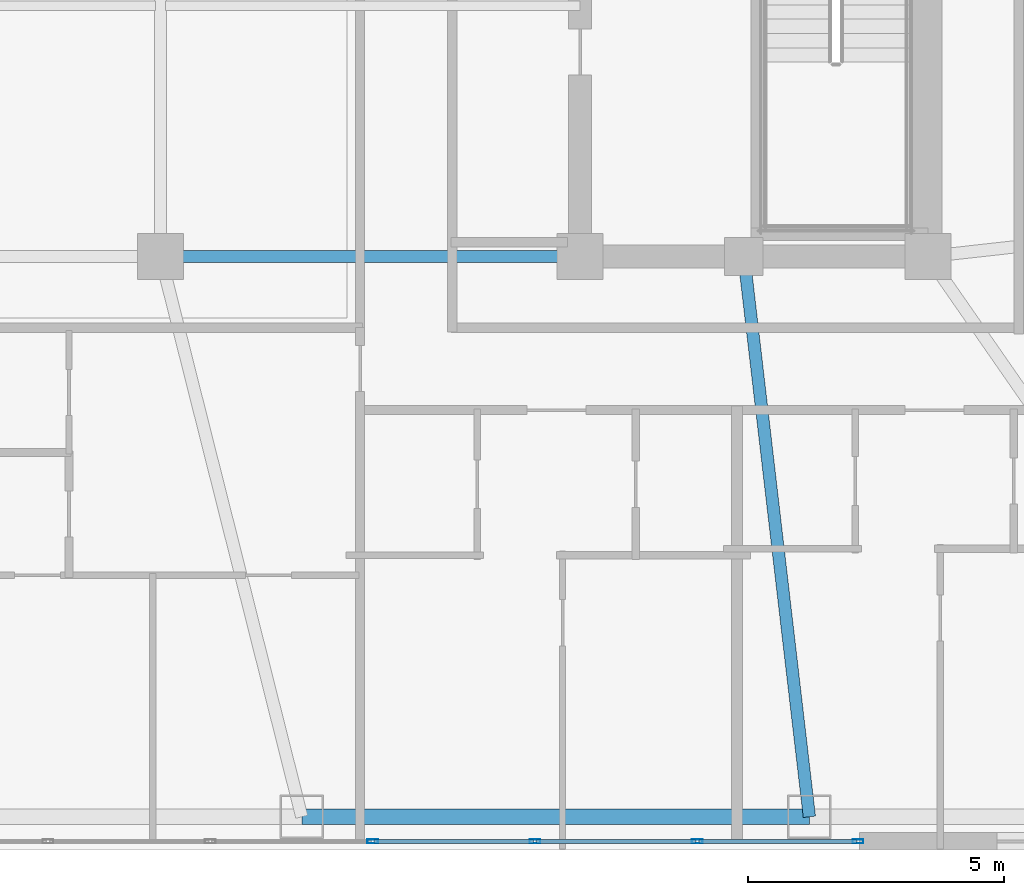
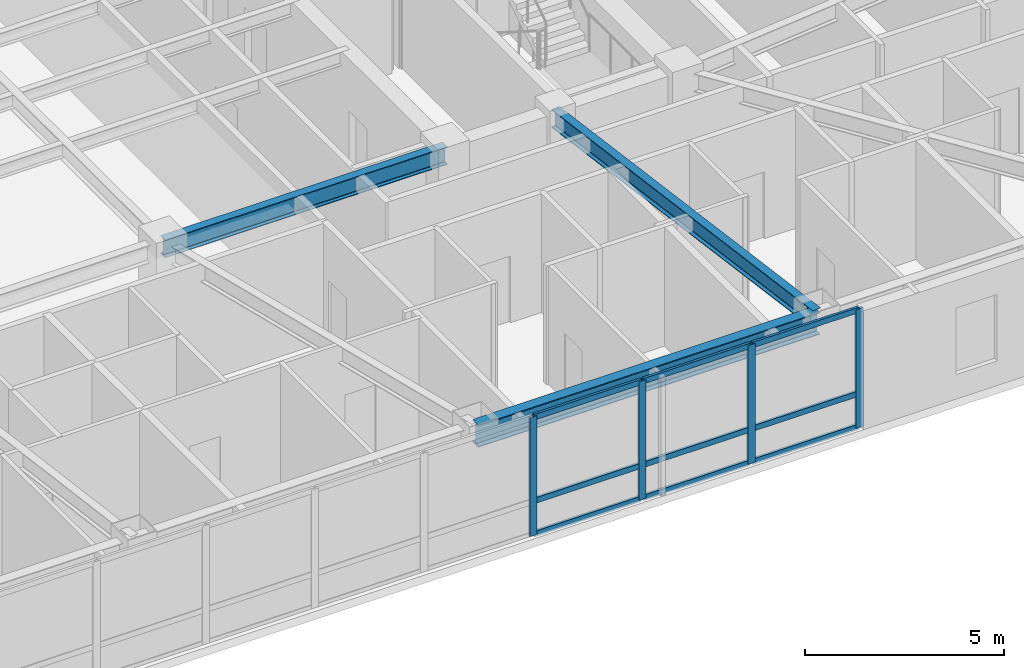
# One storey, part 6 of 16: 13 members, 3 beams, 1 element without a shape of its own.
"""IFC4 building model written with IfcOpenShell, lengths in metres."""

from ifc_helpers import new_model, si_unit, direction, frame, origin, origin_2d, place, context, subcontext, project, spatial, hollow_rectangle, i_section, extrude, material, layer, layer_set, material_profile, profile_set, type_object, element, aggregate, save


model = new_model("IFC4")

# Units and contexts
model_context = context("Model", 3, precision=1e-05, world=origin(), true_north=direction((0.0, 1.0)))
body_context = subcontext(model_context, "Body", "Model", "MODEL_VIEW")
ifc_project = project(units=[si_unit("LENGTHUNIT", "METRE"), si_unit("AREAUNIT", "SQUARE_METRE"), si_unit("VOLUMEUNIT", "CUBIC_METRE"), si_unit("PLANEANGLEUNIT", "RADIAN"), si_unit("MASSUNIT", "GRAM", prefix="KILO")], contexts=[model_context])

# Site, building, storey
site_placement = place(None, origin())
site = spatial("IfcSite", under=ifc_project, at=site_placement, CompositionType="ELEMENT")
building_placement = place(site_placement, origin())
building = spatial("IfcBuilding", under=site, at=building_placement, Name="Voryun Gate Residences", CompositionType="ELEMENT")
storey_placement = place(building_placement, frame((0.0, 0.0, 208.0)))
storey = spatial("IfcBuildingStorey", under=building, at=storey_placement, Name="L51", CompositionType="ELEMENT", Elevation=208.0)

# Beams
ifc_material_1 = material(Name="Steel SM355", Category="steel")
ifc_material_profile_1 = material_profile(ifc_material_1, i_section(OverallWidth=0.300048828125, OverallDepth=0.679931640625, WebThickness=0.013916015625, FlangeThickness=0.02490234375, FilletRadius=0.01806640625, at=origin_2d()), Name="H-680x300x14x25")
ifc_profile_set_1 = profile_set([ifc_material_profile_1], Name="Steel SM355")
beam_type_1 = type_object("IfcBeamType", Name="BM_EXO_SPANDREL_M", PredefinedType="SPANDREL", material=ifc_profile_set_1)
beam_1_placement = place(storey_placement, frame((6.9599609375, -18.35009765625, 3.31005859375), z_axis=(1.0, 0.0, 0.0), x_axis=(0.0, 1.0, 0.0)))
element("IfcBeam", 1, at=beam_1_placement, inside=storey, type_object=beam_type_1, Name="BM-L51-SPAND-04", PredefinedType="SPANDREL", context=body_context, shape_type="SweptSolid", body=[
    extrude(i_section(OverallWidth=0.300048828125, OverallDepth=0.679931640625, WebThickness=0.013916015625, FlangeThickness=0.02490234375, FilletRadius=0.01806640625, at=origin_2d()), origin(), (0.0, 0.0, 1.0), 9.919921875),
])
ifc_material_2 = material(Name="Steel SM355", Category="steel")
ifc_material_profile_2 = material_profile(ifc_material_2, i_section(OverallWidth=0.239990234375, OverallDepth=0.550048828125, WebThickness=0.011962890625, FlangeThickness=0.02001953125, FilletRadius=0.01806640625, at=origin_2d()), Name="H-550x240x12x20")
ifc_profile_set_2 = profile_set([ifc_material_profile_2], Name="Steel SM355")
beam_type_2 = type_object("IfcBeamType", Name="BM_GIRD_550", PredefinedType="USERDEFINED", material=ifc_profile_set_2)
beam_2_placement = place(storey_placement, frame((4.199951171875, -7.39990234375, 3.375), z_axis=(1.0, 0.0, 0.0), x_axis=(0.0, 1.0, 0.0)))
element("IfcBeam", 2, at=beam_2_placement, inside=storey, type_object=beam_type_2, Name="BM-L51-SPG3-S", ObjectType="GIRDER", PredefinedType="USERDEFINED", context=body_context, shape_type="SweptSolid", body=[
    extrude(i_section(OverallWidth=0.239990234375, OverallDepth=0.550048828125, WebThickness=0.011962890625, FlangeThickness=0.02001953125, FilletRadius=0.01806640625, at=origin_2d()), origin(), (0.0, 0.0, 1.0), 8.199951171875),
])
beam_3_placement = place(storey_placement, frame((15.60009765625, -7.39990234375, 3.375), z_axis=(0.116083150214, -0.993239498931, 0.0), x_axis=(0.993239498931, 0.116083150214, 0.0)))
element("IfcBeam", 3, at=beam_3_placement, inside=storey, type_object=beam_type_2, Name="BM-L51-RAD-S5", ObjectType="GIRDER", PredefinedType="USERDEFINED", context=body_context, shape_type="SweptSolid", body=[
    extrude(i_section(OverallWidth=0.239990234375, OverallDepth=0.550048828125, WebThickness=0.011962890625, FlangeThickness=0.02001953125, FilletRadius=0.01806640625, at=origin_2d()), origin(), (0.0, 0.0, 1.0), 11.024658203125),
])

# Curtain wall, members
ifc_material_3 = material(Name="Anodised aluminium", Category="aluminium")
ifc_layer = layer(ifc_material_3, 0.2099609375, Name="CW_SYS_SKYGARDEN_DARK_GLASS")
ifc_layer_set = layer_set([ifc_layer], Name="Anodised aluminium")
curtain_wall_type = type_object("IfcCurtainWallType", Name="CW_SYS_SKYGARDEN_DARK_GLASS", PredefinedType="NOTDEFINED", material=ifc_layer_set)
curtain_wall_placement = place(storey_placement, origin())
curtain_wall = element("IfcCurtainWall", 4, at=curtain_wall_placement, inside=storey, type_object=curtain_wall_type, Name="Curtain wall CW5-L51-SG-01", PredefinedType="NOTDEFINED")
ifc_material_4 = material(Name="Anodised aluminium", Category="aluminium")
ifc_material_profile_3 = material_profile(ifc_material_4, hollow_rectangle(XDim=0.074951171875, YDim=0.2099609375, WallThickness=0.0048828125, at=origin_2d()), Name="ALU-MULL-210x75x5")
ifc_profile_set_3 = profile_set([ifc_material_profile_3], Name="Anodised aluminium")
member_type_1 = type_object("IfcMemberType", Name="CW_MULL_SKY", PredefinedType="MULLION", material=ifc_profile_set_3)
member_1_placement = place(storey_placement, frame((17.831298828125, -18.830078125, 0.0), z_axis=(0.0, 0.0, 1.0), x_axis=(0.0, -1.0, 0.0)))
member_1 = element("IfcMember", 5, at=member_1_placement, type_object=member_type_1, Name="CW5 mullion 1", PredefinedType="MULLION", context=body_context, shape_type="SweptSolid", body=[
    extrude(hollow_rectangle(XDim=0.074951171875, YDim=0.2099609375, WallThickness=0.0048828125, at=origin_2d()), origin(), (0.0, 0.0, 1.0), 3.64990234375),
])
member_2_placement = place(storey_placement, frame((14.68896484375, -18.830078125, 0.0), z_axis=(0.0, 0.0, 1.0), x_axis=(0.0, -1.0, 0.0)))
member_2 = element("IfcMember", 6, at=member_2_placement, type_object=member_type_1, Name="CW5 mullion 2", PredefinedType="MULLION", context=body_context, shape_type="SweptSolid", body=[
    extrude(hollow_rectangle(XDim=0.074951171875, YDim=0.2099609375, WallThickness=0.0048828125, at=origin_2d()), origin(), (0.0, 0.0, 1.0), 3.64990234375),
])
member_3_placement = place(storey_placement, frame((11.516845703125, -18.830078125, 0.0), z_axis=(0.0, 0.0, 1.0), x_axis=(0.0, -1.0, 0.0)))
member_3 = element("IfcMember", 7, at=member_3_placement, type_object=member_type_1, Name="CW5 mullion 3", PredefinedType="MULLION", context=body_context, shape_type="SweptSolid", body=[
    extrude(hollow_rectangle(XDim=0.074951171875, YDim=0.2099609375, WallThickness=0.0048828125, at=origin_2d()), origin(), (0.0, 0.0, 1.0), 3.64990234375),
])
member_4_placement = place(storey_placement, frame((8.344482421875, -18.830078125, 0.0), z_axis=(0.0, 0.0, 1.0), x_axis=(0.0, -1.0, 0.0)))
member_4 = element("IfcMember", 8, at=member_4_placement, type_object=member_type_1, Name="CW5 mullion 4", PredefinedType="MULLION", context=body_context, shape_type="SweptSolid", body=[
    extrude(hollow_rectangle(XDim=0.074951171875, YDim=0.2099609375, WallThickness=0.0048828125, at=origin_2d()), origin(), (0.0, 0.0, 1.0), 3.64990234375),
])
ifc_material_5 = material(Name="Anodised aluminium", Category="aluminium")
ifc_material_profile_4 = material_profile(ifc_material_5, hollow_rectangle(XDim=0.074951171875, YDim=0.169921875, WallThickness=0.0048828125, at=origin_2d()), Name="ALU-TRAN-170x75x5")
ifc_profile_set_4 = profile_set([ifc_material_profile_4], Name="Anodised aluminium")
member_type_2 = type_object("IfcMemberType", Name="CW_TRAN_SKY", PredefinedType="USERDEFINED", material=ifc_profile_set_4)
member_5_placement = place(storey_placement, frame((17.80126953125, -18.830078125, 0.030029296875), z_axis=(-1.0, 0.0, 0.0), x_axis=(0.0, -1.0, 0.0)))
member_5 = element("IfcMember", 9, at=member_5_placement, type_object=member_type_2, Name="CW5 transom 1.1", ObjectType="TRANSOM", PredefinedType="USERDEFINED", context=body_context, shape_type="SweptSolid", body=[
    extrude(hollow_rectangle(XDim=0.074951171875, YDim=0.169921875, WallThickness=0.0048828125, at=origin_2d()), origin(), (0.0, 0.0, 1.0), 3.082275390625),
])
member_6_placement = place(storey_placement, frame((17.80126953125, -18.830078125, 1.050048828125), z_axis=(-1.0, 0.0, 0.0), x_axis=(0.0, -1.0, 0.0)))
member_6 = element("IfcMember", 10, at=member_6_placement, type_object=member_type_2, Name="CW5 transom 1.2", ObjectType="TRANSOM", PredefinedType="USERDEFINED", context=body_context, shape_type="SweptSolid", body=[
    extrude(hollow_rectangle(XDim=0.074951171875, YDim=0.169921875, WallThickness=0.0048828125, at=origin_2d()), origin(), (0.0, 0.0, 1.0), 3.082275390625),
])
member_7_placement = place(storey_placement, frame((17.80126953125, -18.830078125, 3.6201171875), z_axis=(-1.0, 0.0, 0.0), x_axis=(0.0, -1.0, 0.0)))
member_7 = element("IfcMember", 11, at=member_7_placement, type_object=member_type_2, Name="CW5 transom 1.3", ObjectType="TRANSOM", PredefinedType="USERDEFINED", context=body_context, shape_type="SweptSolid", body=[
    extrude(hollow_rectangle(XDim=0.074951171875, YDim=0.169921875, WallThickness=0.0048828125, at=origin_2d()), origin(), (0.0, 0.0, 1.0), 3.082275390625),
])
member_8_placement = place(storey_placement, frame((14.658935546875, -18.830078125, 0.030029296875), z_axis=(-1.0, 0.0, 0.0), x_axis=(0.0, -1.0, 0.0)))
member_8 = element("IfcMember", 12, at=member_8_placement, type_object=member_type_2, Name="CW5 transom 2.1", ObjectType="TRANSOM", PredefinedType="USERDEFINED", context=body_context, shape_type="SweptSolid", body=[
    extrude(hollow_rectangle(XDim=0.074951171875, YDim=0.169921875, WallThickness=0.0048828125, at=origin_2d()), origin(), (0.0, 0.0, 1.0), 3.112060546875),
])
member_9_placement = place(storey_placement, frame((14.658935546875, -18.830078125, 1.050048828125), z_axis=(-1.0, 0.0, 0.0), x_axis=(0.0, -1.0, 0.0)))
member_9 = element("IfcMember", 13, at=member_9_placement, type_object=member_type_2, Name="CW5 transom 2.2", ObjectType="TRANSOM", PredefinedType="USERDEFINED", context=body_context, shape_type="SweptSolid", body=[
    extrude(hollow_rectangle(XDim=0.074951171875, YDim=0.169921875, WallThickness=0.0048828125, at=origin_2d()), origin(), (0.0, 0.0, 1.0), 3.112060546875),
])
member_10_placement = place(storey_placement, frame((14.658935546875, -18.830078125, 3.6201171875), z_axis=(-1.0, 0.0, 0.0), x_axis=(0.0, -1.0, 0.0)))
member_10 = element("IfcMember", 14, at=member_10_placement, type_object=member_type_2, Name="CW5 transom 2.3", ObjectType="TRANSOM", PredefinedType="USERDEFINED", context=body_context, shape_type="SweptSolid", body=[
    extrude(hollow_rectangle(XDim=0.074951171875, YDim=0.169921875, WallThickness=0.0048828125, at=origin_2d()), origin(), (0.0, 0.0, 1.0), 3.112060546875),
])
member_11_placement = place(storey_placement, frame((11.48681640625, -18.830078125, 0.030029296875), z_axis=(-1.0, 0.0, 0.0), x_axis=(0.0, -1.0, 0.0)))
member_11 = element("IfcMember", 15, at=member_11_placement, type_object=member_type_2, Name="CW5 transom 3.1", ObjectType="TRANSOM", PredefinedType="USERDEFINED", context=body_context, shape_type="SweptSolid", body=[
    extrude(hollow_rectangle(XDim=0.074951171875, YDim=0.169921875, WallThickness=0.0048828125, at=origin_2d()), origin(), (0.0, 0.0, 1.0), 3.1123046875),
])
member_12_placement = place(storey_placement, frame((11.48681640625, -18.830078125, 1.050048828125), z_axis=(-1.0, 0.0, 0.0), x_axis=(0.0, -1.0, 0.0)))
member_12 = element("IfcMember", 16, at=member_12_placement, type_object=member_type_2, Name="CW5 transom 3.2", ObjectType="TRANSOM", PredefinedType="USERDEFINED", context=body_context, shape_type="SweptSolid", body=[
    extrude(hollow_rectangle(XDim=0.074951171875, YDim=0.169921875, WallThickness=0.0048828125, at=origin_2d()), origin(), (0.0, 0.0, 1.0), 3.1123046875),
])
member_13_placement = place(storey_placement, frame((11.48681640625, -18.830078125, 3.6201171875), z_axis=(-1.0, 0.0, 0.0), x_axis=(0.0, -1.0, 0.0)))
member_13 = element("IfcMember", 17, at=member_13_placement, type_object=member_type_2, Name="CW5 transom 3.3", ObjectType="TRANSOM", PredefinedType="USERDEFINED", context=body_context, shape_type="SweptSolid", body=[
    extrude(hollow_rectangle(XDim=0.074951171875, YDim=0.169921875, WallThickness=0.0048828125, at=origin_2d()), origin(), (0.0, 0.0, 1.0), 3.1123046875),
])
aggregate(curtain_wall, [member_1, member_2, member_3, member_4, member_5, member_6, member_7, member_8, member_9, member_10, member_11, member_12, member_13])

save(model, "model.ifc")
